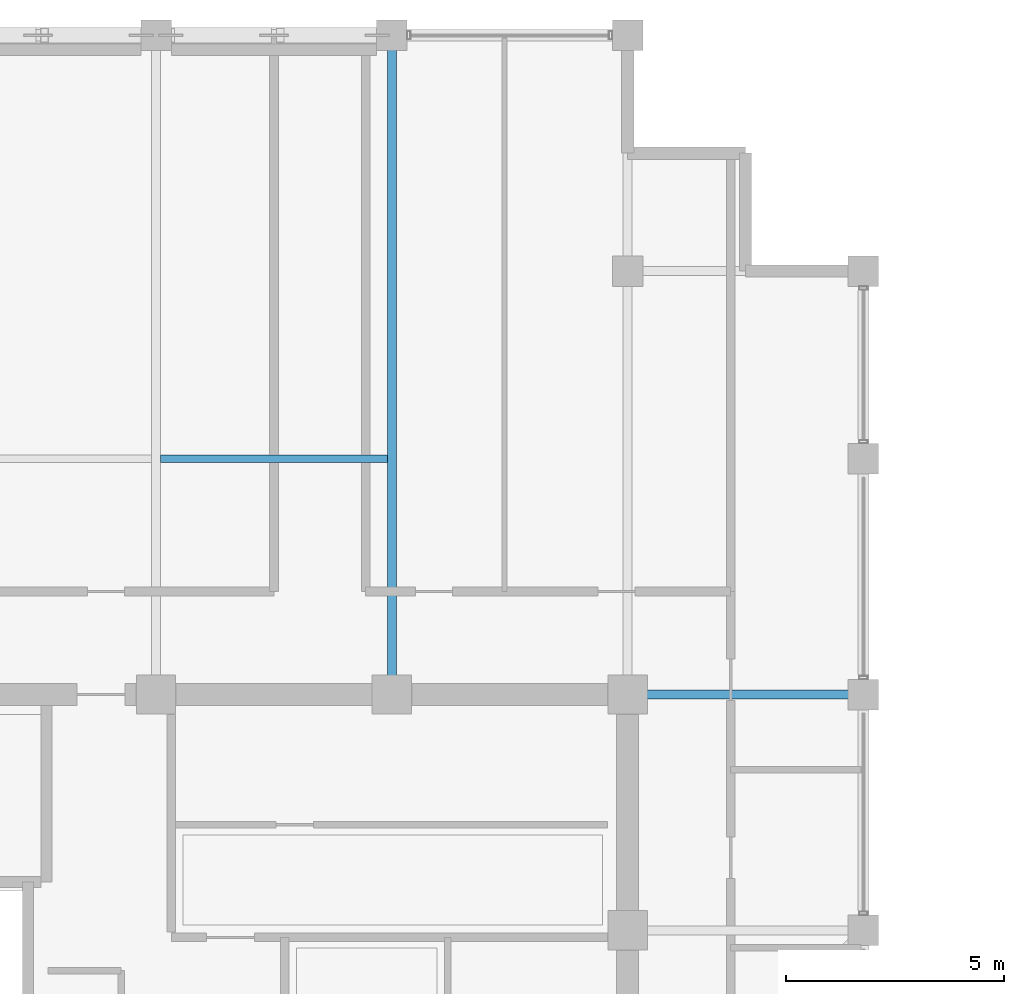
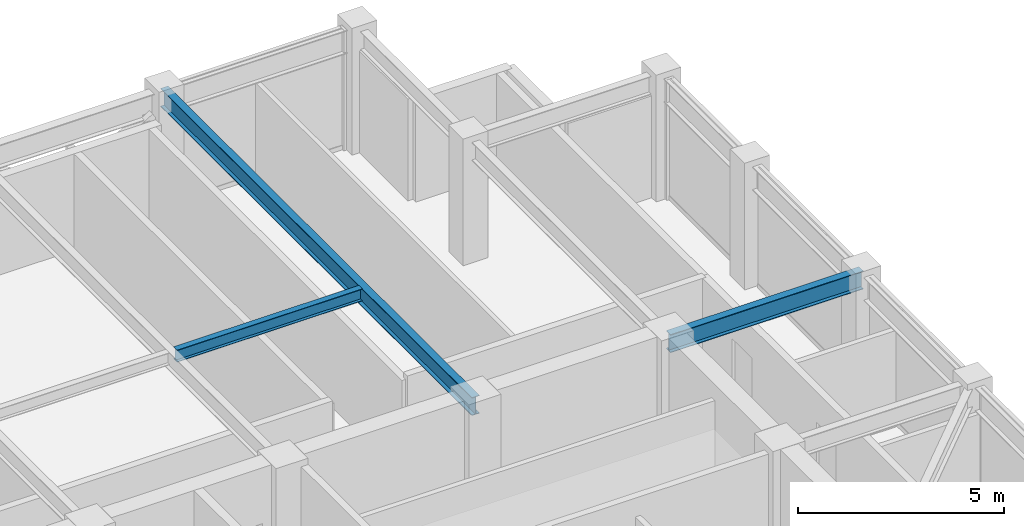
# One storey, part 18 of 31: 3 beams.
"""IFC4 building model written with IfcOpenShell, lengths in metres."""

from ifc_helpers import new_model, si_unit, direction, frame, origin, origin_2d, place, context, subcontext, project, spatial, i_section, extrude, material, material_profile, profile_set, type_object, element, save


model = new_model("IFC4")

# Units and contexts
model_context = context("Model", 3, precision=1e-05, world=origin(), true_north=direction((0.0, 1.0)))
body_context = subcontext(model_context, "Body", "Model", "MODEL_VIEW")
ifc_project = project(units=[si_unit("LENGTHUNIT", "METRE"), si_unit("AREAUNIT", "SQUARE_METRE"), si_unit("VOLUMEUNIT", "CUBIC_METRE"), si_unit("PLANEANGLEUNIT", "RADIAN"), si_unit("MASSUNIT", "GRAM", prefix="KILO")], contexts=[model_context])

# Site, building, storey
site_placement = place(None, origin())
site = spatial("IfcSite", under=ifc_project, at=site_placement, CompositionType="ELEMENT")
building_placement = place(site_placement, origin())
building = spatial("IfcBuilding", under=site, at=building_placement, Name="Surkhivell Harbour Commons", CompositionType="ELEMENT")
storey_placement = place(building_placement, frame((0.0, 0.0, 322.5)))
storey = spatial("IfcBuildingStorey", under=building, at=storey_placement, Name="L84", CompositionType="ELEMENT", Elevation=322.5)

# Beams
ifc_material = material(Name="Steel S355", Category="steel")
ifc_material_profile_1 = material_profile(ifc_material, i_section(OverallWidth=0.2099609375, OverallDepth=0.537109375, WebThickness=0.0107421875, FlangeThickness=0.017333984375, at=origin_2d()), Name="UB533x210x101")
ifc_profile_set_1 = profile_set([ifc_material_profile_1], Name="Steel S355")
beam_type_1 = type_object("IfcBeamType", Name="BM-GRD-533B", PredefinedType="BEAM", material=ifc_profile_set_1)
beam_1_placement = place(storey_placement, frame((5.39990234375, 10.800048828125, 3.301513671875), z_axis=(0.0, 1.0, 0.0), x_axis=(-1.0, 0.0, 0.0)))
element("IfcBeam", 1, at=beam_1_placement, inside=storey, type_object=beam_type_1, Name="L84 Floor Girder (5.4,10.8)", PredefinedType="BEAM", context=body_context, shape_type="SweptSolid", body=[
    extrude(i_section(OverallWidth=0.2099609375, OverallDepth=0.537109375, WebThickness=0.0107421875, FlangeThickness=0.017333984375, at=origin_2d()), origin(), (0.0, 0.0, 1.0), 15.099853515625),
])
beam_2_placement = place(storey_placement, frame((10.800048828125, 10.800048828125, 3.301513671875), z_axis=(1.0, 0.0, 0.0), x_axis=(0.0, 1.0, 0.0)))
element("IfcBeam", 2, at=beam_2_placement, inside=storey, type_object=beam_type_1, Name="L84 Floor Girder (10.8,10.8)", PredefinedType="BEAM", context=body_context, shape_type="SweptSolid", body=[
    extrude(i_section(OverallWidth=0.2099609375, OverallDepth=0.537109375, WebThickness=0.0107421875, FlangeThickness=0.017333984375, at=origin_2d()), origin(), (0.0, 0.0, 1.0), 5.39990234375),
])
ifc_material_profile_2 = material_profile(ifc_material, i_section(OverallWidth=0.172119140625, OverallDepth=0.35791015625, WebThickness=0.008056640625, FlangeThickness=0.012939453125, at=origin_2d()), Name="UB356x171x57")
ifc_profile_set_2 = profile_set([ifc_material_profile_2], Name="Steel S355")
beam_type_2 = type_object("IfcBeamType", Name="BM-JST-356", PredefinedType="JOIST", material=ifc_profile_set_2)
beam_3_placement = place(storey_placement, frame((0.10302734375, 16.199951171875, 3.39111328125), z_axis=(1.0, 0.0, 0.0), x_axis=(0.0, 1.0, 0.0)))
element("IfcBeam", 3, at=beam_3_placement, inside=storey, type_object=beam_type_2, Name="L84 North Composite Joist (0.0)", PredefinedType="JOIST", context=body_context, shape_type="SweptSolid", body=[
    extrude(i_section(OverallWidth=0.172119140625, OverallDepth=0.35791015625, WebThickness=0.008056640625, FlangeThickness=0.012939453125, at=origin_2d()), origin(), (0.0, 0.0, 1.0), 5.194091796875),
])

save(model, "model.ifc")
